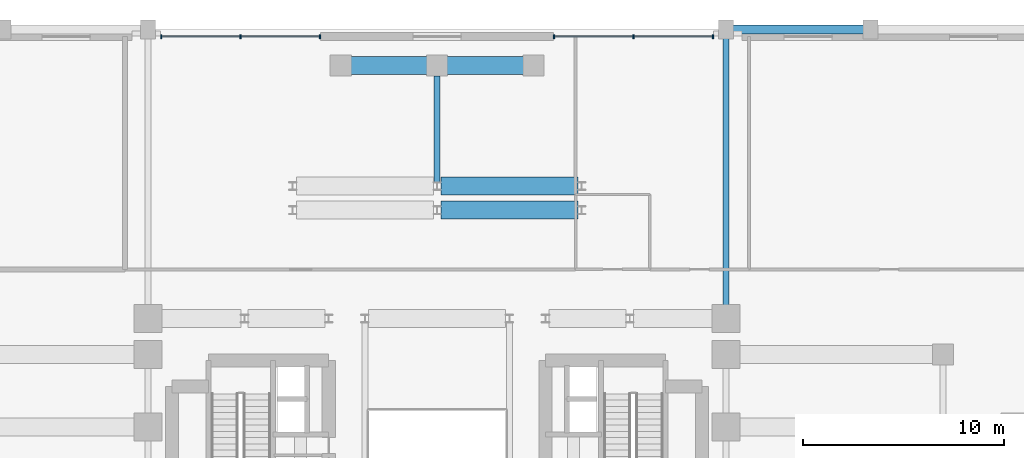
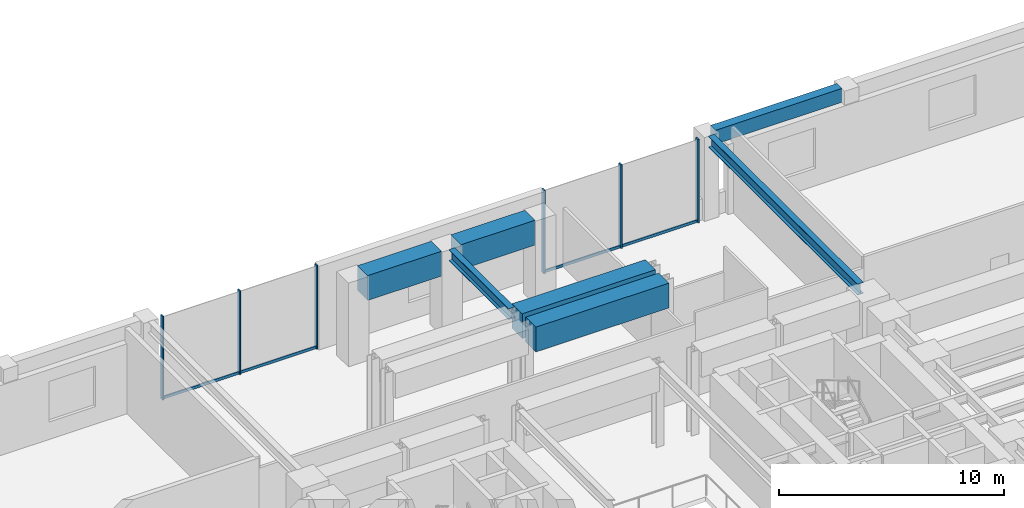
# One storey, part 8 of 14: 10 members, 7 beams, 2 elements without a shape of their own.
"""IFC4 building model written with IfcOpenShell, lengths in metres."""

from ifc_helpers import new_model, si_unit, direction, frame, origin, origin_2d, place, context, subcontext, project, spatial, rectangle, i_section, extrude, source, transform, mapped, material, material_profile, profile_set, type_object, element, aggregate, save


model = new_model("IFC4")

# Units and contexts
model_context = context("Model", 3, precision=1e-05, world=origin(), true_north=direction((0.0, 1.0)))
body_context = subcontext(model_context, "Body", "Model", "MODEL_VIEW")
ifc_project = project(units=[si_unit("LENGTHUNIT", "METRE"), si_unit("AREAUNIT", "SQUARE_METRE"), si_unit("VOLUMEUNIT", "CUBIC_METRE"), si_unit("PLANEANGLEUNIT", "RADIAN"), si_unit("MASSUNIT", "GRAM", prefix="KILO")], contexts=[model_context])

# Site, building, storey
site_placement = place(None, origin())
site = spatial("IfcSite", under=ifc_project, at=site_placement, CompositionType="ELEMENT")
building_placement = place(site_placement, origin())
building = spatial("IfcBuilding", under=site, at=building_placement, Name="Keilestroom Media Tower", CompositionType="ELEMENT")
storey_placement = place(building_placement, frame((0.0, 0.0, 15.60009765625)))
storey = spatial("IfcBuildingStorey", under=building, at=storey_placement, Name="L03", CompositionType="ELEMENT", Elevation=15.60009765625)

# Beams
ifc_material_1 = material(Name="Precast concrete C40/50", Category="concrete")
ifc_material_profile_1 = material_profile(ifc_material_1, rectangle(XDim=0.449951171875, YDim=0.75, at=origin_2d()), Name="PC 450x750")
ifc_profile_set_1 = profile_set([ifc_material_profile_1], Name="Precast concrete C40/50")
beam_type_1 = type_object("IfcBeamType", Name="Perimeter-Spandrel-Beam-PC-450x750", PredefinedType="SPANDREL", material=ifc_profile_set_1)
shared_shape_1 = source(origin(), body_context, "Body", "SweptSolid", [
    extrude(rectangle(XDim=0.449951171875, YDim=0.75, at=origin_2d()), origin(), (0.0, 0.0, 1.0), 6.490234375),
])
beam_1_placement = place(storey_placement, frame((14.7548828125, 23.39990234375, 4.1748046875), z_axis=(1.0, 0.0, 0.0), x_axis=(0.0, 1.0, 0.0)))
element("IfcBeam", 1, at=beam_1_placement, inside=storey, type_object=beam_type_1, Name="L03 Beam SPB-1 BM-L03-EW-043", PredefinedType="SPANDREL", context=body_context, shape_type="MappedRepresentation", body=[
    mapped(shared_shape_1, transform((0.0, 0.0, 0.0), x_axis=(1.0, 0.0, 0.0), y_axis=(0.0, 1.0, 0.0), z_axis=(0.0, 0.0, 1.0), scale=1.0)),
])
ifc_material_2 = material(Name="Concrete C55/67", Category="concrete")
ifc_material_profile_2 = material_profile(ifc_material_2, rectangle(XDim=0.89990234375, YDim=1.35009765625, at=origin_2d()), Name="RC 900x1350")
ifc_profile_set_2 = profile_set([ifc_material_profile_2], Name="Concrete C55/67")
beam_type_2 = type_object("IfcBeamType", Name="Primary-Structural-Girder-RC-900x1350", PredefinedType="BEAM", material=ifc_profile_set_2)
shared_shape_2 = source(origin(), body_context, "Body", "SweptSolid", [
    extrude(rectangle(XDim=0.89990234375, YDim=1.35009765625, at=origin_2d()), origin(), (0.0, 0.0, 1.0), 6.833984375),
])
for number, where, z_axis, x_axis, name in (
    (2, (0.18310546875, 14.39990234375, 3.875), (1.0, 0.0, 0.0), (0.0, 1.0, 0.0), "L03 Beam TG-2 BM-L03-EW-036"),
    (3, (0.18310546875, 15.60009765625, 3.875), (1.0, 0.0, 0.0), (0.0, 1.0, 0.0), "L03 Beam TG-2 BM-L03-EW-038"),
):
    element("IfcBeam", number, at=place(storey_placement, frame(where, z_axis=z_axis, x_axis=x_axis)), inside=storey, type_object=beam_type_2, Name=name, PredefinedType="BEAM", context=body_context, shape_type="MappedRepresentation", body=[
        mapped(shared_shape_2, transform((0.0, 0.0, 0.0), x_axis=(1.0, 0.0, 0.0), y_axis=(0.0, 1.0, 0.0), z_axis=(0.0, 0.0, 1.0), scale=1.0)),
    ])
shared_shape_3 = source(origin(), body_context, "Body", "SweptSolid", [
    extrude(rectangle(XDim=0.89990234375, YDim=1.35009765625, at=origin_2d()), origin(), (0.0, 0.0, 1.0), 3.7900390625),
])
for number, where, z_axis, x_axis, name in (
    (4, (-4.294921875, 21.60009765625, 3.875), (1.0, 0.0, 0.0), (0.0, 1.0, 0.0), "L03 Beam TG-2 BM-L03-EW-039"),
    (5, (0.5048828125, 21.60009765625, 3.875), (1.0, 0.0, 0.0), (0.0, 1.0, 0.0), "L03 Beam TG-2 BM-L03-EW-040"),
):
    element("IfcBeam", number, at=place(storey_placement, frame(where, z_axis=z_axis, x_axis=x_axis)), inside=storey, type_object=beam_type_2, Name=name, PredefinedType="BEAM", context=body_context, shape_type="MappedRepresentation", body=[
        mapped(shared_shape_3, transform((0.0, 0.0, 0.0), x_axis=(1.0, 0.0, 0.0), y_axis=(0.0, 1.0, 0.0), z_axis=(0.0, 0.0, 1.0), scale=1.0)),
    ])
ifc_material_3 = material(Name="Steel S355", Category="steel")
ifc_material_profile_3 = material_profile(ifc_material_3, i_section(OverallWidth=0.300048828125, OverallDepth=0.60009765625, WebThickness=0.013427734375, FlangeThickness=0.030029296875, at=origin_2d()), Name="HEB 600")
ifc_profile_set_3 = profile_set([ifc_material_profile_3], Name="Steel S355")
beam_type_3 = type_object("IfcBeamType", Name="Primary-Structural-Girder-HEB-600", PredefinedType="BEAM", material=ifc_profile_set_3)
shared_shape_4 = source(origin(), body_context, "Body", "SweptSolid", [
    extrude(i_section(OverallWidth=0.300048828125, OverallDepth=0.60009765625, WebThickness=0.013427734375, FlangeThickness=0.030029296875, at=origin_2d()), origin(), (0.0, 0.0, 1.0), 13.26513671875),
])
beam_2_placement = place(storey_placement, frame((14.39990234375, 9.679931640625, 4.25), z_axis=(0.0, 1.0, 0.0), x_axis=(-1.0, 0.0, 0.0)))
element("IfcBeam", 6, at=beam_2_placement, inside=storey, type_object=beam_type_3, Name="L03 Beam BG-4 BM-L03-NS-081", PredefinedType="BEAM", context=body_context, shape_type="MappedRepresentation", body=[
    mapped(shared_shape_4, transform((0.0, 0.0, 0.0), x_axis=(1.0, 0.0, 0.0), y_axis=(0.0, 1.0, 0.0), z_axis=(0.0, 0.0, 1.0), scale=1.0)),
])
shared_shape_5 = source(origin(), body_context, "Body", "SweptSolid", [
    extrude(i_section(OverallWidth=0.300048828125, OverallDepth=0.60009765625, WebThickness=0.013427734375, FlangeThickness=0.030029296875, at=origin_2d()), origin(), (0.0, 0.0, 1.0), 5.306884765625),
])
beam_3_placement = place(storey_placement, frame((0.0, 15.7880859375, 4.25), z_axis=(0.0, 1.0, 0.0), x_axis=(-1.0, 0.0, 0.0)))
element("IfcBeam", 7, at=beam_3_placement, inside=storey, type_object=beam_type_3, Name="L03 Beam BG-4 BM-L03-NS-069", PredefinedType="BEAM", context=body_context, shape_type="MappedRepresentation", body=[
    mapped(shared_shape_5, transform((0.0, 0.0, 0.0), x_axis=(1.0, 0.0, 0.0), y_axis=(0.0, 1.0, 0.0), z_axis=(0.0, 0.0, 1.0), scale=1.0)),
])

# Curtain wall, member
ifc_material_4 = material(Name="Anodised Aluminium Alloy", Category="aluminium")
curtain_wall_type = type_object("IfcCurtainWallType", Name="Unitised-Curtain-Wall-CW-5", PredefinedType="NOTDEFINED", material=ifc_material_4)
curtain_wall_1_placement = place(storey_placement, origin())
curtain_wall_1 = element("IfcCurtainWall", 8, at=curtain_wall_1_placement, inside=storey, type_object=curtain_wall_type, Name="L03 Curtain Wall CW-5 CW-L03-N-ATW", PredefinedType="NOTDEFINED")
ifc_material_profile_4 = material_profile(ifc_material_4, rectangle(XDim=0.06494140625, YDim=0.14990234375, at=origin_2d()), Name="ALU TRANSOM 65x150")
ifc_profile_set_4 = profile_set([ifc_material_profile_4], Name="Anodised Aluminium Alloy")
member_type_1 = type_object("IfcMemberType", Name="Curtain-Wall-Transom-CW-5", PredefinedType="USERDEFINED", material=ifc_profile_set_4)
shared_shape_6 = source(origin(), body_context, "Body", "SweptSolid", [
    extrude(rectangle(XDim=0.06494140625, YDim=0.14990234375, at=origin_2d()), origin(), (0.0, 0.0, 1.0), 3.888916015625),
])
member_1_placement = place(storey_placement, frame((-13.7119140625, 23.050048828125, 0.074951171875), z_axis=(1.0, 0.0, 0.0), x_axis=(0.0, 1.0, 0.0)))
member_1 = element("IfcMember", 9, at=member_1_placement, type_object=member_type_1, Name="CW-5 Transom 00.1", ObjectType="TRANSOM", PredefinedType="USERDEFINED", context=body_context, shape_type="MappedRepresentation", body=[
    mapped(shared_shape_6, transform((0.0, 0.0, 0.0), x_axis=(1.0, 0.0, 0.0), y_axis=(0.0, 1.0, 0.0), z_axis=(0.0, 0.0, 1.0), scale=1.0)),
])

curtain_wall_2_placement = place(storey_placement, origin())
curtain_wall_2 = element("IfcCurtainWall", 10, at=curtain_wall_2_placement, inside=storey, type_object=curtain_wall_type, Name="L03 Curtain Wall CW-5 CW-L03-N-ATE", PredefinedType="NOTDEFINED")
member_2_placement = place(storey_placement, frame((9.822998046875, 23.050048828125, 0.074951171875), z_axis=(1.0, 0.0, 0.0), x_axis=(0.0, 1.0, 0.0)))
member_2 = element("IfcMember", 11, at=member_2_placement, type_object=member_type_1, Name="CW-5 Transom 01.1", ObjectType="TRANSOM", PredefinedType="USERDEFINED", context=body_context, shape_type="MappedRepresentation", body=[
    mapped(shared_shape_6, transform((0.0, 0.0, 0.0), x_axis=(1.0, 0.0, 0.0), y_axis=(0.0, 1.0, 0.0), z_axis=(0.0, 0.0, 1.0), scale=1.0)),
])

# Member
shared_shape_7 = source(origin(), body_context, "Body", "SweptSolid", [
    extrude(rectangle(XDim=0.06494140625, YDim=0.14990234375, at=origin_2d()), origin(), (0.0, 0.0, 1.0), 3.88916015625),
])
member_3_placement = place(storey_placement, frame((-9.757080078125, 23.050048828125, 0.074951171875), z_axis=(1.0, 0.0, 0.0), x_axis=(0.0, 1.0, 0.0)))
member_3 = element("IfcMember", 12, at=member_3_placement, type_object=member_type_1, Name="CW-5 Transom 01.1", ObjectType="TRANSOM", PredefinedType="USERDEFINED", context=body_context, shape_type="MappedRepresentation", body=[
    mapped(shared_shape_7, transform((0.0, 0.0, 0.0), x_axis=(1.0, 0.0, 0.0), y_axis=(0.0, 1.0, 0.0), z_axis=(0.0, 0.0, 1.0), scale=1.0)),
])

member_4_placement = place(storey_placement, frame((5.867919921875, 23.050048828125, 0.074951171875), z_axis=(1.0, 0.0, 0.0), x_axis=(0.0, 1.0, 0.0)))
member_4 = element("IfcMember", 13, at=member_4_placement, type_object=member_type_1, Name="CW-5 Transom 00.1", ObjectType="TRANSOM", PredefinedType="USERDEFINED", context=body_context, shape_type="MappedRepresentation", body=[
    mapped(shared_shape_7, transform((0.0, 0.0, 0.0), x_axis=(1.0, 0.0, 0.0), y_axis=(0.0, 1.0, 0.0), z_axis=(0.0, 0.0, 1.0), scale=1.0)),
])

ifc_material_profile_5 = material_profile(ifc_material_4, rectangle(XDim=0.070068359375, YDim=0.199951171875, at=origin_2d()), Name="ALU MULLION 70x200")
ifc_profile_set_5 = profile_set([ifc_material_profile_5], Name="Anodised Aluminium Alloy")
member_type_2 = type_object("IfcMemberType", Name="Curtain-Wall-Mullion-CW-5", PredefinedType="MULLION", material=ifc_profile_set_5)
shared_shape_8 = source(origin(), body_context, "Body", "SweptSolid", [
    extrude(rectangle(XDim=0.070068359375, YDim=0.199951171875, at=origin_2d()), origin(), (0.0, 0.0, 1.0), 4.5498046875),
])
member_5_placement = place(storey_placement, frame((-13.7451171875, 23.050048828125, 0.0), z_axis=(0.0, 0.0, 1.0), x_axis=(1.0, 0.0, 0.0)))
member_5 = element("IfcMember", 14, at=member_5_placement, type_object=member_type_2, Name="CW-5 Mullion 00", PredefinedType="MULLION", context=body_context, shape_type="MappedRepresentation", body=[
    mapped(shared_shape_8, transform((0.0, 0.0, 0.0), x_axis=(1.0, 0.0, 0.0), y_axis=(0.0, 1.0, 0.0), z_axis=(0.0, 0.0, 1.0), scale=1.0)),
])

member_6_placement = place(storey_placement, frame((-9.7900390625, 23.050048828125, 0.0), z_axis=(0.0, 0.0, 1.0), x_axis=(1.0, 0.0, 0.0)))
member_6 = element("IfcMember", 15, at=member_6_placement, type_object=member_type_2, Name="CW-5 Mullion 01", PredefinedType="MULLION", context=body_context, shape_type="MappedRepresentation", body=[
    mapped(shared_shape_8, transform((0.0, 0.0, 0.0), x_axis=(1.0, 0.0, 0.0), y_axis=(0.0, 1.0, 0.0), z_axis=(0.0, 0.0, 1.0), scale=1.0)),
])

member_7_placement = place(storey_placement, frame((-5.8349609375, 23.050048828125, 0.0), z_axis=(0.0, 0.0, 1.0), x_axis=(1.0, 0.0, 0.0)))
member_7 = element("IfcMember", 16, at=member_7_placement, type_object=member_type_2, Name="CW-5 Mullion 02", PredefinedType="MULLION", context=body_context, shape_type="MappedRepresentation", body=[
    mapped(shared_shape_8, transform((0.0, 0.0, 0.0), x_axis=(1.0, 0.0, 0.0), y_axis=(0.0, 1.0, 0.0), z_axis=(0.0, 0.0, 1.0), scale=1.0)),
])

aggregate(curtain_wall_1, [member_5, member_6, member_7, member_1, member_3])

member_8_placement = place(storey_placement, frame((5.8349609375, 23.050048828125, 0.0), z_axis=(0.0, 0.0, 1.0), x_axis=(1.0, 0.0, 0.0)))
member_8 = element("IfcMember", 17, at=member_8_placement, type_object=member_type_2, Name="CW-5 Mullion 00", PredefinedType="MULLION", context=body_context, shape_type="MappedRepresentation", body=[
    mapped(shared_shape_8, transform((0.0, 0.0, 0.0), x_axis=(1.0, 0.0, 0.0), y_axis=(0.0, 1.0, 0.0), z_axis=(0.0, 0.0, 1.0), scale=1.0)),
])

member_9_placement = place(storey_placement, frame((9.7900390625, 23.050048828125, 0.0), z_axis=(0.0, 0.0, 1.0), x_axis=(1.0, 0.0, 0.0)))
member_9 = element("IfcMember", 18, at=member_9_placement, type_object=member_type_2, Name="CW-5 Mullion 01", PredefinedType="MULLION", context=body_context, shape_type="MappedRepresentation", body=[
    mapped(shared_shape_8, transform((0.0, 0.0, 0.0), x_axis=(1.0, 0.0, 0.0), y_axis=(0.0, 1.0, 0.0), z_axis=(0.0, 0.0, 1.0), scale=1.0)),
])

member_10_placement = place(storey_placement, frame((13.7451171875, 23.050048828125, 0.0), z_axis=(0.0, 0.0, 1.0), x_axis=(1.0, 0.0, 0.0)))
member_10 = element("IfcMember", 19, at=member_10_placement, type_object=member_type_2, Name="CW-5 Mullion 02", PredefinedType="MULLION", context=body_context, shape_type="MappedRepresentation", body=[
    mapped(shared_shape_8, transform((0.0, 0.0, 0.0), x_axis=(1.0, 0.0, 0.0), y_axis=(0.0, 1.0, 0.0), z_axis=(0.0, 0.0, 1.0), scale=1.0)),
])

aggregate(curtain_wall_2, [member_8, member_9, member_10, member_4, member_2])

save(model, "model.ifc")
